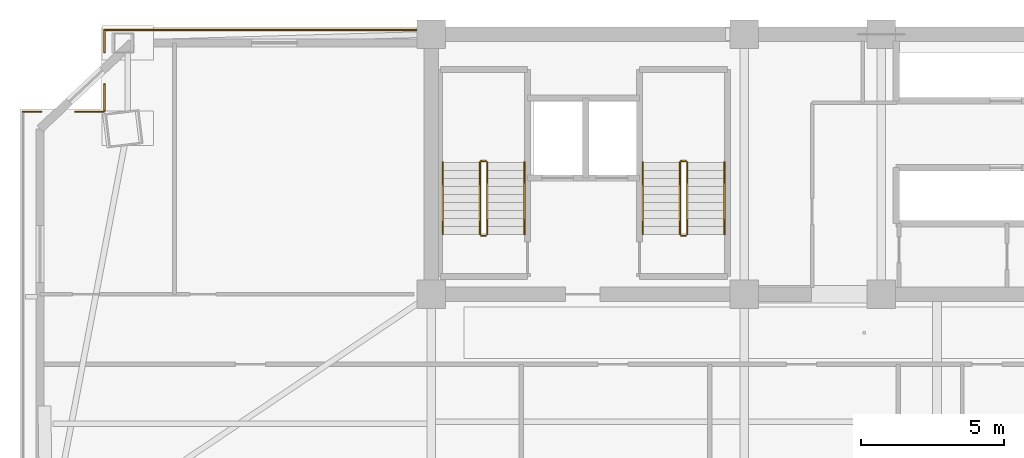
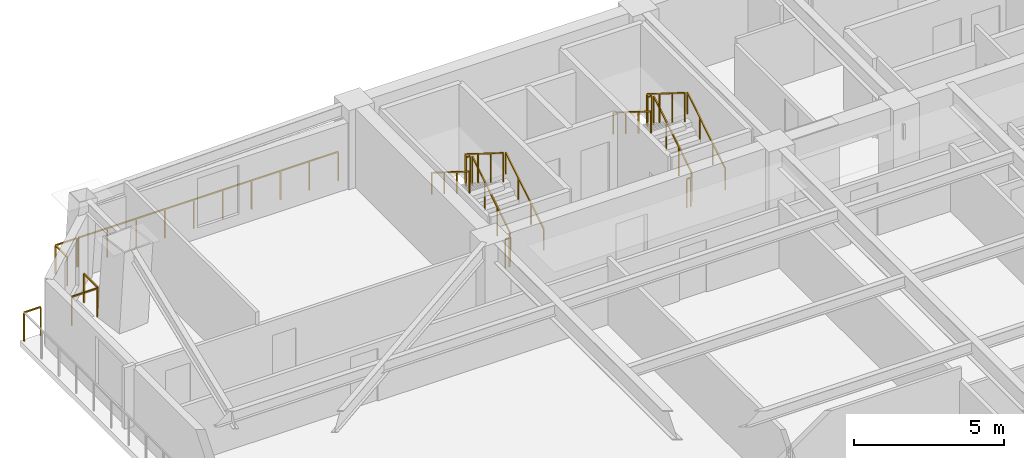
# One storey, part 14 of 15: 18 railings.
"""IFC4 building model written with IfcOpenShell, lengths in metres."""

from ifc_helpers import new_model, si_unit, direction, frame, origin, origin_2d, place, context, subcontext, project, spatial, rectangle, extrude, material, type_object, element, save


model = new_model("IFC4")

# Units and contexts
model_context = context("Model", 3, precision=1e-05, world=origin(), true_north=direction((0.0, 1.0)))
body_context = subcontext(model_context, "Body", "Model", "MODEL_VIEW")
ifc_project = project(units=[si_unit("LENGTHUNIT", "METRE"), si_unit("AREAUNIT", "SQUARE_METRE"), si_unit("VOLUMEUNIT", "CUBIC_METRE"), si_unit("PLANEANGLEUNIT", "RADIAN"), si_unit("MASSUNIT", "GRAM", prefix="KILO")], contexts=[model_context])

# Site, building, storey
site_placement = place(None, origin())
site = spatial("IfcSite", under=ifc_project, at=site_placement, CompositionType="ELEMENT")
building_placement = place(site_placement, origin())
building = spatial("IfcBuilding", under=site, at=building_placement, Name="Giltprow Tower", CompositionType="ELEMENT")
storey_placement = place(building_placement, frame((0.0, 0.0, 187.699951171875)))
storey = spatial("IfcBuildingStorey", under=building, at=storey_placement, Name="L47", CompositionType="ELEMENT", Elevation=187.699951171875)

# Railings
ifc_material = material(Name="Anodized bronze", Category="metal")
railing_type_1 = type_object("IfcRailingType", Name="RAIL-BALC-GUARD-1200", PredefinedType="BALUSTRADE", material=ifc_material)
railing_1_placement = place(storey_placement, frame((5.553955078125, 43.839111328125, 0.0)))
element("IfcRailing", 1, at=railing_1_placement, inside=storey, type_object=railing_type_1, Name="L47 Corner Apron Edge Balustrade 6", PredefinedType="BALUSTRADE", context=body_context, shape_type="SweptSolid", body=[
    extrude(rectangle(XDim=0.048095703125, YDim=0.048095703125, at=origin_2d()), frame((0.0, 0.0, 1.17578125), z_axis=(1.0, 0.0, 0.0), x_axis=(0.0, 1.0, 0.0)), (0.0, 0.0, 1.0), 0.64013671875),
    extrude(rectangle(XDim=0.0419921875, YDim=0.0419921875, at=origin_2d()), origin(), (0.0, 0.0, 1.0), 1.15185546875),
    extrude(rectangle(XDim=0.0419921875, YDim=0.0419921875, at=origin_2d()), frame((0.64013671875, 0.0, 0.0)), (0.0, 0.0, 1.0), 1.15185546875),
])
railing_2_placement = place(storey_placement, frame((7.39306640625, 43.839111328125, 0.0)))
element("IfcRailing", 2, at=railing_2_placement, inside=storey, type_object=railing_type_1, Name="L47 Corner Apron Edge Balustrade 7", PredefinedType="BALUSTRADE", context=body_context, shape_type="SweptSolid", body=[
    extrude(rectangle(XDim=0.048095703125, YDim=0.048095703125, at=origin_2d()), frame((0.0, 0.0, 1.17578125), z_axis=(1.0, 0.0, 0.0), x_axis=(0.0, 1.0, 0.0)), (0.0, 0.0, 1.0), 0.98681640625),
    extrude(rectangle(XDim=0.0419921875, YDim=0.0419921875, at=origin_2d()), origin(), (0.0, 0.0, 1.0), 1.15185546875),
    extrude(rectangle(XDim=0.0419921875, YDim=0.0419921875, at=origin_2d()), frame((0.98681640625, 0.0, 0.0)), (0.0, 0.0, 1.0), 1.15185546875),
])
railing_3_placement = place(storey_placement, frame((8.4150390625, 43.8740234375, 0.0)))
element("IfcRailing", 3, at=railing_3_placement, inside=storey, type_object=railing_type_1, Name="L47 Corner Apron Edge Balustrade 8", PredefinedType="BALUSTRADE", context=body_context, shape_type="SweptSolid", body=[
    extrude(rectangle(XDim=0.048095703125, YDim=0.048095703125, at=origin_2d()), frame((0.0, 0.0, 1.17578125), z_axis=(0.0, 1.0, 0.0), x_axis=(-1.0, 0.0, 0.0)), (0.0, 0.0, 1.0), 0.923095703125),
    extrude(rectangle(XDim=0.0419921875, YDim=0.0419921875, at=origin_2d()), origin(), (0.0, 0.0, 1.0), 1.15185546875),
    extrude(rectangle(XDim=0.0419921875, YDim=0.0419921875, at=origin_2d()), frame((0.0, 0.923095703125, 0.0)), (0.0, 0.0, 1.0), 1.15185546875),
])
railing_4_placement = place(storey_placement, frame((8.4150390625, 45.9208984375, 0.0)))
element("IfcRailing", 4, at=railing_4_placement, inside=storey, type_object=railing_type_1, Name="L47 Corner Apron Edge Balustrade 9", PredefinedType="BALUSTRADE", context=body_context, shape_type="SweptSolid", body=[
    extrude(rectangle(XDim=0.048095703125, YDim=0.048095703125, at=origin_2d()), frame((0.0, 0.0, 1.17578125), z_axis=(0.0, 1.0, 0.0), x_axis=(-1.0, 0.0, 0.0)), (0.0, 0.0, 1.0), 0.779052734375),
    extrude(rectangle(XDim=0.0419921875, YDim=0.0419921875, at=origin_2d()), origin(), (0.0, 0.0, 1.0), 1.15185546875),
    extrude(rectangle(XDim=0.0419921875, YDim=0.0419921875, at=origin_2d()), frame((0.0, 0.779052734375, 0.0)), (0.0, 0.0, 1.0), 1.15185546875),
])
railing_5_placement = place(storey_placement, frame((8.4150390625, 46.699951171875, 0.0)))
element("IfcRailing", 5, at=railing_5_placement, inside=storey, type_object=railing_type_1, Name="L47 Corner Apron Edge Balustrade 10", PredefinedType="BALUSTRADE", context=body_context, shape_type="SweptSolid", body=[
    extrude(rectangle(XDim=0.048095703125, YDim=0.048095703125, at=origin_2d()), frame((0.0, 0.0, 1.17578125), z_axis=(1.0, 0.0, 0.0), x_axis=(0.0, 1.0, 0.0)), (0.0, 0.0, 1.0), 0.830078125),
    extrude(rectangle(XDim=0.0419921875, YDim=0.0419921875, at=origin_2d()), origin(), (0.0, 0.0, 1.0), 1.15185546875),
    extrude(rectangle(XDim=0.0419921875, YDim=0.0419921875, at=origin_2d()), frame((0.830078125, 0.0, 0.0)), (0.0, 0.0, 1.0), 1.15185546875),
])
railing_6_placement = place(storey_placement, frame((9.299072265625, 46.699951171875, 0.0)))
element("IfcRailing", 6, at=railing_6_placement, inside=storey, type_object=railing_type_1, Name="L47 Corner Apron Edge Balustrade 11", PredefinedType="BALUSTRADE", context=body_context, shape_type="SweptSolid", body=[
    extrude(rectangle(XDim=0.048095703125, YDim=0.048095703125, at=origin_2d()), frame((0.0, 0.0, 1.17578125), z_axis=(1.0, 0.0, 0.0), x_axis=(0.0, 1.0, 0.0)), (0.0, 0.0, 1.0), 10.015869140625),
    extrude(rectangle(XDim=0.0419921875, YDim=0.0419921875, at=origin_2d()), origin(), (0.0, 0.0, 1.0), 1.15185546875),
    extrude(rectangle(XDim=0.0419921875, YDim=0.0419921875, at=origin_2d()), frame((1.11279296875, 0.0, 0.0)), (0.0, 0.0, 1.0), 1.15185546875),
    extrude(rectangle(XDim=0.0419921875, YDim=0.0419921875, at=origin_2d()), frame((2.225830078125, 0.0, 0.0)), (0.0, 0.0, 1.0), 1.15185546875),
    extrude(rectangle(XDim=0.0419921875, YDim=0.0419921875, at=origin_2d()), frame((3.338623046875, 0.0, 0.0)), (0.0, 0.0, 1.0), 1.15185546875),
    extrude(rectangle(XDim=0.0419921875, YDim=0.0419921875, at=origin_2d()), frame((4.451416015625, 0.0, 0.0)), (0.0, 0.0, 1.0), 1.15185546875),
    extrude(rectangle(XDim=0.0419921875, YDim=0.0419921875, at=origin_2d()), frame((5.564453125, 0.0, 0.0)), (0.0, 0.0, 1.0), 1.15185546875),
    extrude(rectangle(XDim=0.0419921875, YDim=0.0419921875, at=origin_2d()), frame((6.67724609375, 0.0, 0.0)), (0.0, 0.0, 1.0), 1.15185546875),
    extrude(rectangle(XDim=0.0419921875, YDim=0.0419921875, at=origin_2d()), frame((7.7900390625, 0.0, 0.0)), (0.0, 0.0, 1.0), 1.15185546875),
    extrude(rectangle(XDim=0.0419921875, YDim=0.0419921875, at=origin_2d()), frame((8.903076171875, 0.0, 0.0)), (0.0, 0.0, 1.0), 1.15185546875),
    extrude(rectangle(XDim=0.0419921875, YDim=0.0419921875, at=origin_2d()), frame((10.015869140625, 0.0, 0.0)), (0.0, 0.0, 1.0), 1.15185546875),
])
railing_type_2 = type_object("IfcRailingType", Name="RAIL-STAIR-GUARD-1200", PredefinedType="GUARDRAIL", material=ifc_material)
railing_7_placement = place(storey_placement, frame((21.81005859375, 39.550048828125, 0.175048828125)))
element("IfcRailing", 7, at=railing_7_placement, inside=storey, type_object=railing_type_2, Name="L47 ST-1 stair guard 1", PredefinedType="GUARDRAIL", context=body_context, shape_type="SweptSolid", body=[
    extrude(rectangle(XDim=0.048095703125, YDim=0.048095703125, at=origin_2d()), frame((0.0, 0.0, 1.17578125), z_axis=(0.0, 0.848007534815, 0.529984170421), x_axis=(-1.0, 0.0, 0.0)), (0.0, 0.0, 1.0), 2.9716796875),
    extrude(rectangle(XDim=0.0419921875, YDim=0.0419921875, at=origin_2d()), origin(), (0.0, 0.0, 1.0), 1.15185546875),
    extrude(rectangle(XDim=0.0419921875, YDim=0.0419921875, at=origin_2d()), frame((0.0, 0.840087890625, 0.52490234375)), (0.0, 0.0, 1.0), 1.15185546875),
    extrude(rectangle(XDim=0.0419921875, YDim=0.0419921875, at=origin_2d()), frame((0.0, 1.679931640625, 1.050048828125)), (0.0, 0.0, 1.0), 1.15185546875),
    extrude(rectangle(XDim=0.0419921875, YDim=0.0419921875, at=origin_2d()), frame((0.0, 2.52001953125, 1.574951171875)), (0.0, 0.0, 1.0), 1.15185546875),
])
railing_8_placement = place(storey_placement, frame((21.760009765625, 42.1201171875, 1.75)))
element("IfcRailing", 8, at=railing_8_placement, inside=storey, type_object=railing_type_2, Name="L47 ST-1 stair guard 2", PredefinedType="GUARDRAIL", context=body_context, shape_type="SweptSolid", body=[
    extrude(rectangle(XDim=0.048095703125, YDim=0.048095703125, at=origin_2d()), frame((0.0, 0.0, 1.17578125), z_axis=(-1.0, 0.0, 0.0), x_axis=(0.0, -1.0, 0.0)), (0.0, 0.0, 1.0), 0.159912109375),
    extrude(rectangle(XDim=0.0419921875, YDim=0.0419921875, at=origin_2d()), origin(), (0.0, 0.0, 1.0), 1.15185546875),
    extrude(rectangle(XDim=0.0419921875, YDim=0.0419921875, at=origin_2d()), frame((-0.159912109375, 0.0, 0.0)), (0.0, 0.0, 1.0), 1.15185546875),
])
railing_9_placement = place(storey_placement, frame((21.550048828125, 42.070068359375, 1.925048828125)))
element("IfcRailing", 9, at=railing_9_placement, inside=storey, type_object=railing_type_2, Name="L47 ST-1 stair guard 3", PredefinedType="GUARDRAIL", context=body_context, shape_type="SweptSolid", body=[
    extrude(rectangle(XDim=0.048095703125, YDim=0.048095703125, at=origin_2d()), frame((0.0, 0.0, 1.17578125), z_axis=(0.0, -0.848007534815, 0.529984170421), x_axis=(1.0, 0.0, 0.0)), (0.0, 0.0, 1.0), 2.9716796875),
    extrude(rectangle(XDim=0.0419921875, YDim=0.0419921875, at=origin_2d()), origin(), (0.0, 0.0, 1.0), 1.15185546875),
    extrude(rectangle(XDim=0.0419921875, YDim=0.0419921875, at=origin_2d()), frame((0.0, -0.840087890625, 0.52490234375)), (0.0, 0.0, 1.0), 1.15185546875),
    extrude(rectangle(XDim=0.0419921875, YDim=0.0419921875, at=origin_2d()), frame((0.0, -1.679931640625, 1.050048828125)), (0.0, 0.0, 1.0), 1.15185546875),
    extrude(rectangle(XDim=0.0419921875, YDim=0.0419921875, at=origin_2d()), frame((0.0, -2.52001953125, 1.574951171875)), (0.0, 0.0, 1.0), 1.15185546875),
])
railing_10_placement = place(storey_placement, frame((21.760009765625, 39.5, 0.0)))
element("IfcRailing", 10, at=railing_10_placement, inside=storey, type_object=railing_type_2, Name="L47 ST-1 stair guard 4", PredefinedType="GUARDRAIL", context=body_context, shape_type="SweptSolid", body=[
    extrude(rectangle(XDim=0.048095703125, YDim=0.048095703125, at=origin_2d()), frame((0.0, 0.0, 1.17578125), z_axis=(-1.0, 0.0, 0.0), x_axis=(0.0, -1.0, 0.0)), (0.0, 0.0, 1.0), 0.159912109375),
    extrude(rectangle(XDim=0.0419921875, YDim=0.0419921875, at=origin_2d()), origin(), (0.0, 0.0, 1.0), 1.15185546875),
    extrude(rectangle(XDim=0.0419921875, YDim=0.0419921875, at=origin_2d()), frame((-0.159912109375, 0.0, 0.0)), (0.0, 0.0, 1.0), 1.15185546875),
])
railing_11_placement = place(storey_placement, frame((28.81005859375, 39.550048828125, 0.175048828125)))
element("IfcRailing", 11, at=railing_11_placement, inside=storey, type_object=railing_type_2, Name="L47 ST-2 stair guard 1", PredefinedType="GUARDRAIL", context=body_context, shape_type="SweptSolid", body=[
    extrude(rectangle(XDim=0.048095703125, YDim=0.048095703125, at=origin_2d()), frame((0.0, 0.0, 1.17578125), z_axis=(0.0, 0.848007534815, 0.529984170421), x_axis=(-1.0, 0.0, 0.0)), (0.0, 0.0, 1.0), 2.9716796875),
    extrude(rectangle(XDim=0.0419921875, YDim=0.0419921875, at=origin_2d()), origin(), (0.0, 0.0, 1.0), 1.15185546875),
    extrude(rectangle(XDim=0.0419921875, YDim=0.0419921875, at=origin_2d()), frame((0.0, 0.840087890625, 0.52490234375)), (0.0, 0.0, 1.0), 1.15185546875),
    extrude(rectangle(XDim=0.0419921875, YDim=0.0419921875, at=origin_2d()), frame((0.0, 1.679931640625, 1.050048828125)), (0.0, 0.0, 1.0), 1.15185546875),
    extrude(rectangle(XDim=0.0419921875, YDim=0.0419921875, at=origin_2d()), frame((0.0, 2.52001953125, 1.574951171875)), (0.0, 0.0, 1.0), 1.15185546875),
])
railing_12_placement = place(storey_placement, frame((28.760009765625, 42.1201171875, 1.75)))
element("IfcRailing", 12, at=railing_12_placement, inside=storey, type_object=railing_type_2, Name="L47 ST-2 stair guard 2", PredefinedType="GUARDRAIL", context=body_context, shape_type="SweptSolid", body=[
    extrude(rectangle(XDim=0.048095703125, YDim=0.048095703125, at=origin_2d()), frame((0.0, 0.0, 1.17578125), z_axis=(-1.0, 0.0, 0.0), x_axis=(0.0, -1.0, 0.0)), (0.0, 0.0, 1.0), 0.159912109375),
    extrude(rectangle(XDim=0.0419921875, YDim=0.0419921875, at=origin_2d()), origin(), (0.0, 0.0, 1.0), 1.15185546875),
    extrude(rectangle(XDim=0.0419921875, YDim=0.0419921875, at=origin_2d()), frame((-0.159912109375, 0.0, 0.0)), (0.0, 0.0, 1.0), 1.15185546875),
])
railing_13_placement = place(storey_placement, frame((28.550048828125, 42.070068359375, 1.925048828125)))
element("IfcRailing", 13, at=railing_13_placement, inside=storey, type_object=railing_type_2, Name="L47 ST-2 stair guard 3", PredefinedType="GUARDRAIL", context=body_context, shape_type="SweptSolid", body=[
    extrude(rectangle(XDim=0.048095703125, YDim=0.048095703125, at=origin_2d()), frame((0.0, 0.0, 1.17578125), z_axis=(0.0, -0.848007534815, 0.529984170421), x_axis=(1.0, 0.0, 0.0)), (0.0, 0.0, 1.0), 2.9716796875),
    extrude(rectangle(XDim=0.0419921875, YDim=0.0419921875, at=origin_2d()), origin(), (0.0, 0.0, 1.0), 1.15185546875),
    extrude(rectangle(XDim=0.0419921875, YDim=0.0419921875, at=origin_2d()), frame((0.0, -0.840087890625, 0.52490234375)), (0.0, 0.0, 1.0), 1.15185546875),
    extrude(rectangle(XDim=0.0419921875, YDim=0.0419921875, at=origin_2d()), frame((0.0, -1.679931640625, 1.050048828125)), (0.0, 0.0, 1.0), 1.15185546875),
    extrude(rectangle(XDim=0.0419921875, YDim=0.0419921875, at=origin_2d()), frame((0.0, -2.52001953125, 1.574951171875)), (0.0, 0.0, 1.0), 1.15185546875),
])
railing_14_placement = place(storey_placement, frame((28.760009765625, 39.5, 0.0)))
element("IfcRailing", 14, at=railing_14_placement, inside=storey, type_object=railing_type_2, Name="L47 ST-2 stair guard 4", PredefinedType="GUARDRAIL", context=body_context, shape_type="SweptSolid", body=[
    extrude(rectangle(XDim=0.048095703125, YDim=0.048095703125, at=origin_2d()), frame((0.0, 0.0, 1.17578125), z_axis=(-1.0, 0.0, 0.0), x_axis=(0.0, -1.0, 0.0)), (0.0, 0.0, 1.0), 0.159912109375),
    extrude(rectangle(XDim=0.0419921875, YDim=0.0419921875, at=origin_2d()), origin(), (0.0, 0.0, 1.0), 1.15185546875),
    extrude(rectangle(XDim=0.0419921875, YDim=0.0419921875, at=origin_2d()), frame((-0.159912109375, 0.0, 0.0)), (0.0, 0.0, 1.0), 1.15185546875),
])
railing_type_3 = type_object("IfcRailingType", Name="RAIL-STAIR-HAND-900", PredefinedType="HANDRAIL", material=ifc_material)
railing_15_placement = place(storey_placement, frame((23.110107421875, 39.550048828125, 0.175048828125)))
element("IfcRailing", 15, at=railing_15_placement, inside=storey, type_object=railing_type_3, Name="L47 ST-1 stair handrail 1", PredefinedType="HANDRAIL", context=body_context, shape_type="SweptSolid", body=[
    extrude(rectangle(XDim=0.048095703125, YDim=0.048095703125, at=origin_2d()), frame((0.0, 0.0, 0.8759765625), z_axis=(0.0, 0.848007534815, 0.529984170421), x_axis=(-1.0, 0.0, 0.0)), (0.0, 0.0, 1.0), 2.9716796875),
    extrude(rectangle(XDim=0.0419921875, YDim=0.0419921875, at=origin_2d()), origin(), (0.0, 0.0, 1.0), 0.851806640625),
    extrude(rectangle(XDim=0.0419921875, YDim=0.0419921875, at=origin_2d()), frame((0.0, 0.840087890625, 0.52490234375)), (0.0, 0.0, 1.0), 0.851806640625),
    extrude(rectangle(XDim=0.0419921875, YDim=0.0419921875, at=origin_2d()), frame((0.0, 1.679931640625, 1.050048828125)), (0.0, 0.0, 1.0), 0.851806640625),
    extrude(rectangle(XDim=0.0419921875, YDim=0.0419921875, at=origin_2d()), frame((0.0, 2.52001953125, 1.574951171875)), (0.0, 0.0, 1.0), 0.851806640625),
])
railing_16_placement = place(storey_placement, frame((20.25, 42.070068359375, 1.925048828125)))
element("IfcRailing", 16, at=railing_16_placement, inside=storey, type_object=railing_type_3, Name="L47 ST-1 stair handrail 2", PredefinedType="HANDRAIL", context=body_context, shape_type="SweptSolid", body=[
    extrude(rectangle(XDim=0.048095703125, YDim=0.048095703125, at=origin_2d()), frame((0.0, 0.0, 0.8759765625), z_axis=(0.0, -0.848007534815, 0.529984170421), x_axis=(1.0, 0.0, 0.0)), (0.0, 0.0, 1.0), 2.9716796875),
    extrude(rectangle(XDim=0.0419921875, YDim=0.0419921875, at=origin_2d()), origin(), (0.0, 0.0, 1.0), 0.851806640625),
    extrude(rectangle(XDim=0.0419921875, YDim=0.0419921875, at=origin_2d()), frame((0.0, -0.840087890625, 0.52490234375)), (0.0, 0.0, 1.0), 0.851806640625),
    extrude(rectangle(XDim=0.0419921875, YDim=0.0419921875, at=origin_2d()), frame((0.0, -1.679931640625, 1.050048828125)), (0.0, 0.0, 1.0), 0.851806640625),
    extrude(rectangle(XDim=0.0419921875, YDim=0.0419921875, at=origin_2d()), frame((0.0, -2.52001953125, 1.574951171875)), (0.0, 0.0, 1.0), 0.851806640625),
])
railing_17_placement = place(storey_placement, frame((30.110107421875, 39.550048828125, 0.175048828125)))
element("IfcRailing", 17, at=railing_17_placement, inside=storey, type_object=railing_type_3, Name="L47 ST-2 stair handrail 1", PredefinedType="HANDRAIL", context=body_context, shape_type="SweptSolid", body=[
    extrude(rectangle(XDim=0.048095703125, YDim=0.048095703125, at=origin_2d()), frame((0.0, 0.0, 0.8759765625), z_axis=(0.0, 0.848007534815, 0.529984170421), x_axis=(-1.0, 0.0, 0.0)), (0.0, 0.0, 1.0), 2.9716796875),
    extrude(rectangle(XDim=0.0419921875, YDim=0.0419921875, at=origin_2d()), origin(), (0.0, 0.0, 1.0), 0.851806640625),
    extrude(rectangle(XDim=0.0419921875, YDim=0.0419921875, at=origin_2d()), frame((0.0, 0.840087890625, 0.52490234375)), (0.0, 0.0, 1.0), 0.851806640625),
    extrude(rectangle(XDim=0.0419921875, YDim=0.0419921875, at=origin_2d()), frame((0.0, 1.679931640625, 1.050048828125)), (0.0, 0.0, 1.0), 0.851806640625),
    extrude(rectangle(XDim=0.0419921875, YDim=0.0419921875, at=origin_2d()), frame((0.0, 2.52001953125, 1.574951171875)), (0.0, 0.0, 1.0), 0.851806640625),
])
railing_18_placement = place(storey_placement, frame((27.25, 42.070068359375, 1.925048828125)))
element("IfcRailing", 18, at=railing_18_placement, inside=storey, type_object=railing_type_3, Name="L47 ST-2 stair handrail 2", PredefinedType="HANDRAIL", context=body_context, shape_type="SweptSolid", body=[
    extrude(rectangle(XDim=0.048095703125, YDim=0.048095703125, at=origin_2d()), frame((0.0, 0.0, 0.8759765625), z_axis=(0.0, -0.848007534815, 0.529984170421), x_axis=(1.0, 0.0, 0.0)), (0.0, 0.0, 1.0), 2.9716796875),
    extrude(rectangle(XDim=0.0419921875, YDim=0.0419921875, at=origin_2d()), origin(), (0.0, 0.0, 1.0), 0.851806640625),
    extrude(rectangle(XDim=0.0419921875, YDim=0.0419921875, at=origin_2d()), frame((0.0, -0.840087890625, 0.52490234375)), (0.0, 0.0, 1.0), 0.851806640625),
    extrude(rectangle(XDim=0.0419921875, YDim=0.0419921875, at=origin_2d()), frame((0.0, -1.679931640625, 1.050048828125)), (0.0, 0.0, 1.0), 0.851806640625),
    extrude(rectangle(XDim=0.0419921875, YDim=0.0419921875, at=origin_2d()), frame((0.0, -2.52001953125, 1.574951171875)), (0.0, 0.0, 1.0), 0.851806640625),
])

save(model, "model.ifc")
